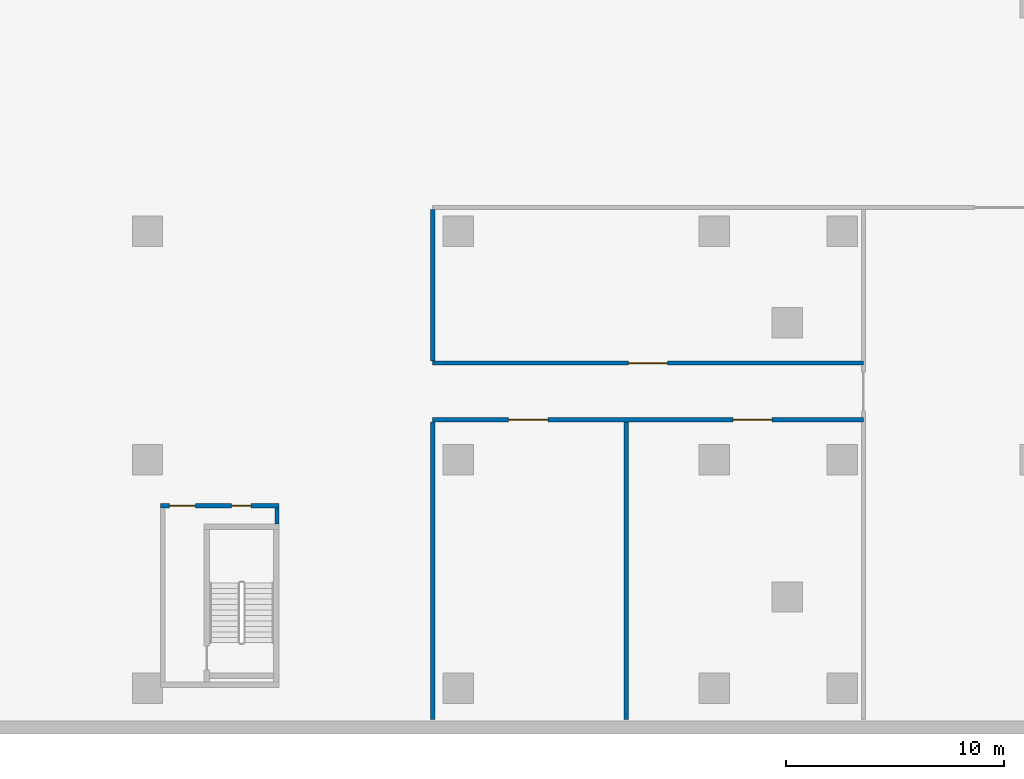
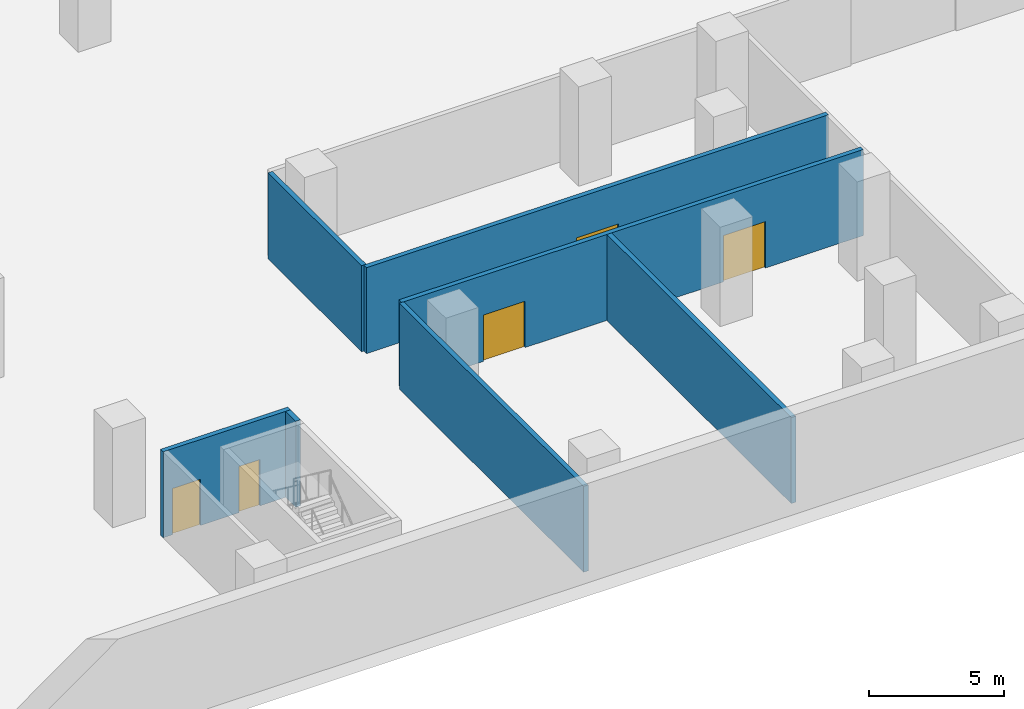
# One storey, part 4 of 12: 7 walls, 5 doors, 5 openings.
"""IFC4 building model written with IfcOpenShell, lengths in metres."""

from ifc_helpers import new_model, si_unit, direction, frame, frame_2d, origin, place, context, subcontext, project, spatial, rectangle, extrude, source, transform, mapped, material, layer, layer_set, type_object, element, fill, save


model = new_model("IFC4")

# Units and contexts
model_context = context("Model", 3, precision=1e-05, world=origin(), true_north=direction((0.0, 1.0)))
body_context = subcontext(model_context, "Body", "Model", "MODEL_VIEW")
ifc_project = project(units=[si_unit("LENGTHUNIT", "METRE"), si_unit("AREAUNIT", "SQUARE_METRE"), si_unit("VOLUMEUNIT", "CUBIC_METRE"), si_unit("PLANEANGLEUNIT", "RADIAN"), si_unit("MASSUNIT", "GRAM", prefix="KILO")], contexts=[model_context])

# Site, building, storey
site_placement = place(None, origin())
site = spatial("IfcSite", under=ifc_project, at=site_placement, CompositionType="ELEMENT")
building_placement = place(site_placement, origin())
building = spatial("IfcBuilding", under=site, at=building_placement, Name="Aurelian Terraces", CompositionType="ELEMENT")
storey_placement = place(building_placement, frame((0.0, 0.0, -4.5)))
storey = spatial("IfcBuildingStorey", under=building, at=storey_placement, Name="B1", CompositionType="ELEMENT", Elevation=-4.5)

# Wall, openings, doors
ifc_material_1 = material(Name="Gypsum board on steel studs", Category="steel")
ifc_layer_1 = layer(ifc_material_1, 0.2)
ifc_layer_set_1 = layer_set([ifc_layer_1], Name="Basement partition 200")
wall_type_1 = type_object("IfcWallType", Name="Basement partition 200", PredefinedType="PARTITIONING", material=ifc_layer_set_1)
wall_1_placement = place(storey_placement, frame((50.9, 12.35, 0.0), z_axis=(0.0, 0.0, 1.0), x_axis=(1.0, 0.0, 0.0)))
wall_1 = element("IfcWall", 1, at=wall_1_placement, inside=storey, type_object=wall_type_1, Name="B1 partition 001", PredefinedType="PARTITIONING", context=body_context, shape_type="SweptSolid", body=[
    extrude(rectangle(XDim=19.8, YDim=0.2, at=frame_2d((9.9, 0.0))), origin(), (0.0, 0.0, 1.0), 3.9),
])
shared_shape_1 = source(origin(), body_context, "Body", "SweptSolid", [
    extrude(rectangle(XDim=1.8, YDim=2.1, at=frame_2d((0.9, 1.05))), frame((0.0, 0.11, 0.0), z_axis=(0.0, -1.0, 0.0), x_axis=(1.0, 0.0, 0.0)), (0.0, 0.0, 1.0), 0.22),
])
opening_1_placement = place(wall_1_placement, frame((3.5, 0.0, 0.0)))
opening_1 = element("IfcOpeningElement", 2, at=opening_1_placement, cuts=wall_1, Name="Opening 50219", PredefinedType="OPENING", context=body_context, shape_type="MappedRepresentation", body=[
    mapped(shared_shape_1, transform((0.0, 0.0, 0.0), scale=1.0)),
])
opening_2_placement = place(wall_1_placement, frame((13.8, 0.0, 0.0)))
opening_2 = element("IfcOpeningElement", 3, at=opening_2_placement, cuts=wall_1, Name="Opening 50220", PredefinedType="OPENING", context=body_context, shape_type="MappedRepresentation", body=[
    mapped(shared_shape_1, transform((0.0, 0.0, 0.0), scale=1.0)),
])
ifc_material_2 = material(Name="Steel door leaf", Category="steel")
door_type_1 = type_object("IfcDoorType", Name="Back of house door double 1800x2100", OperationType="DOUBLE_DOOR_SINGLE_SWING", PredefinedType="DOOR", material=ifc_material_2)
shared_shape_2 = source(origin(), body_context, "Body", "SweptSolid", [
    extrude(rectangle(XDim=1.8, YDim=2.1, at=frame_2d((0.9, 1.05))), frame((0.0, 0.025, 0.0), z_axis=(0.0, -1.0, 0.0), x_axis=(1.0, 0.0, 0.0)), (0.0, 0.0, 1.0), 0.05),
])
door_1_placement = place(opening_1_placement, origin())
door_1 = element("IfcDoor", 4, at=door_1_placement, inside=storey, type_object=door_type_1, Name="Room door 50219", OperationType="DOUBLE_DOOR_SINGLE_SWING", OverallHeight=2.1, OverallWidth=1.8, PredefinedType="DOOR", context=body_context, shape_type="MappedRepresentation", body=[
    mapped(shared_shape_2, transform((0.0, 0.0, 0.0), scale=1.0)),
])
fill(opening_1, door_1)
door_2_placement = place(opening_2_placement, origin())
door_2 = element("IfcDoor", 5, at=door_2_placement, inside=storey, type_object=door_type_1, Name="Room door 50220", OperationType="DOUBLE_DOOR_SINGLE_SWING", OverallHeight=2.1, OverallWidth=1.8, PredefinedType="DOOR", context=body_context, shape_type="MappedRepresentation", body=[
    mapped(shared_shape_2, transform((0.0, 0.0, 0.0), scale=1.0)),
])
fill(opening_2, door_2)

ifc_layer_2 = layer(ifc_material_1, 0.2)
ifc_layer_set_2 = layer_set([ifc_layer_2], Name="Core partition 200")
wall_type_2 = type_object("IfcWallType", Name="Core partition 200", PredefinedType="PARTITIONING", material=ifc_layer_set_2)
shared_shape_3 = source(origin(), body_context, "Body", "SweptSolid", [
    extrude(rectangle(XDim=5.45, YDim=0.2, at=frame_2d((2.725, 0.0))), origin(), (0.0, 0.0, 1.0), 3.9),
])
wall_2_placement = place(storey_placement, frame((38.4, 8.4, 0.0), z_axis=(0.0, 0.0, 1.0), x_axis=(1.0, 0.0, 0.0)))
wall_2 = element("IfcWall", 6, at=wall_2_placement, inside=storey, type_object=wall_type_2, Name="B1 core wall ST-S2-BN", PredefinedType="PARTITIONING", context=body_context, shape_type="MappedRepresentation", body=[
    mapped(shared_shape_3, transform((0.0, 0.0, 0.0), scale=1.0)),
])
shared_shape_4 = source(origin(), body_context, "Body", "SweptSolid", [
    extrude(rectangle(XDim=1.2, YDim=2.1, at=frame_2d((0.6, 1.05))), frame((0.0, 0.11, 0.0), z_axis=(0.0, -1.0, 0.0), x_axis=(1.0, 0.0, 0.0)), (0.0, 0.0, 1.0), 0.22),
])
opening_3_placement = place(wall_2_placement, frame((0.4, 0.0, 0.0)))
opening_3 = element("IfcOpeningElement", 7, at=opening_3_placement, cuts=wall_2, Name="Opening 60215", PredefinedType="OPENING", context=body_context, shape_type="MappedRepresentation", body=[
    mapped(shared_shape_4, transform((0.0, 0.0, 0.0), scale=1.0)),
])
shared_shape_5 = source(origin(), body_context, "Body", "SweptSolid", [
    extrude(rectangle(XDim=0.9, YDim=2.1, at=frame_2d((0.45, 1.05))), frame((0.0, 0.11, 0.0), z_axis=(0.0, -1.0, 0.0), x_axis=(1.0, 0.0, 0.0)), (0.0, 0.0, 1.0), 0.22),
])
opening_4_placement = place(wall_2_placement, frame((3.25, 0.0, 0.0)))
opening_4 = element("IfcOpeningElement", 8, at=opening_4_placement, cuts=wall_2, Name="Opening 60216", PredefinedType="OPENING", context=body_context, shape_type="MappedRepresentation", body=[
    mapped(shared_shape_5, transform((0.0, 0.0, 0.0), scale=1.0)),
])
door_type_2 = type_object("IfcDoorType", Name="Core riser door 900x2100", OperationType="SINGLE_SWING_LEFT", PredefinedType="DOOR", material=ifc_material_2)
shared_shape_6 = source(origin(), body_context, "Body", "SweptSolid", [
    extrude(rectangle(XDim=0.9, YDim=2.1, at=frame_2d((0.45, 1.05))), frame((0.0, 0.025, 0.0), z_axis=(0.0, -1.0, 0.0), x_axis=(1.0, 0.0, 0.0)), (0.0, 0.0, 1.0), 0.05),
])
door_3_placement = place(opening_4_placement, origin())
door_3 = element("IfcDoor", 9, at=door_3_placement, inside=storey, type_object=door_type_2, Name="Riser door 60216", OperationType="SINGLE_SWING_LEFT", OverallHeight=2.1, OverallWidth=0.9, PredefinedType="DOOR", context=body_context, shape_type="MappedRepresentation", body=[
    mapped(shared_shape_6, transform((0.0, 0.0, 0.0), scale=1.0)),
])
fill(opening_4, door_3)
door_type_3 = type_object("IfcDoorType", Name="Core fire door 1200x2100 right", OperationType="SINGLE_SWING_RIGHT", PredefinedType="DOOR", material=ifc_material_2)
shared_shape_7 = source(origin(), body_context, "Body", "SweptSolid", [
    extrude(rectangle(XDim=1.2, YDim=2.1, at=frame_2d((0.6, 1.05))), frame((0.0, 0.025, 0.0), z_axis=(0.0, -1.0, 0.0), x_axis=(1.0, 0.0, 0.0)), (0.0, 0.0, 1.0), 0.05),
])
door_4_placement = place(opening_3_placement, origin())
door_4 = element("IfcDoor", 10, at=door_4_placement, inside=storey, type_object=door_type_3, Name="Vestibule door 60215", OperationType="SINGLE_SWING_RIGHT", OverallHeight=2.1, OverallWidth=1.2, PredefinedType="DOOR", context=body_context, shape_type="MappedRepresentation", body=[
    mapped(shared_shape_7, transform((0.0, 0.0, 0.0), scale=1.0)),
])
fill(opening_3, door_4)

# Walls
shared_shape_8 = source(origin(), body_context, "Body", "SweptSolid", [
    extrude(rectangle(XDim=0.75, YDim=0.2, at=frame_2d((0.375, 0.0))), origin(), (0.0, 0.0, 1.0), 3.9),
])
wall_3_placement = place(storey_placement, frame((43.75, 7.55, 0.0), z_axis=(0.0, 0.0, 1.0), x_axis=(0.0, 1.0, 0.0)))
element("IfcWall", 11, at=wall_3_placement, inside=storey, type_object=wall_type_2, Name="B1 core wall ST-S2-RE", PredefinedType="PARTITIONING", context=body_context, shape_type="MappedRepresentation", body=[
    mapped(shared_shape_8, transform((0.0, 0.0, 0.0), scale=1.0)),
])
shared_shape_9 = source(origin(), body_context, "Body", "SweptSolid", [
    extrude(rectangle(XDim=13.69, YDim=0.2, at=frame_2d((6.845, 0.0))), origin(), (0.0, 0.0, 1.0), 3.9),
])
for number, where, z_axis, x_axis, name in (
    (12, (50.9, -1.44, 0.0), (0.0, 0.0, 1.0), (0.0, 1.0, 0.0), "B1 partition 029"),
    (13, (59.8, -1.44, 0.0), (0.0, 0.0, 1.0), (0.0, 1.0, 0.0), "B1 partition 032"),
):
    element("IfcWall", number, at=place(storey_placement, frame(where, z_axis=z_axis, x_axis=x_axis)), inside=storey, type_object=wall_type_1, Name=name, PredefinedType="PARTITIONING", context=body_context, shape_type="MappedRepresentation", body=[
        mapped(shared_shape_9, transform((0.0, 0.0, 0.0), scale=1.0)),
    ])
shared_shape_10 = source(origin(), body_context, "Body", "SweptSolid", [
    extrude(rectangle(XDim=6.95, YDim=0.2, at=frame_2d((3.475, 0.0))), origin(), (0.0, 0.0, 1.0), 3.9),
])
wall_4_placement = place(storey_placement, frame((50.9, 15.05, 0.0), z_axis=(0.0, 0.0, 1.0), x_axis=(0.0, 1.0, 0.0)))
element("IfcWall", 14, at=wall_4_placement, inside=storey, type_object=wall_type_1, Name="B1 partition 030", PredefinedType="PARTITIONING", context=body_context, shape_type="MappedRepresentation", body=[
    mapped(shared_shape_10, transform((0.0, 0.0, 0.0), scale=1.0)),
])

# Wall, opening, door
shared_shape_11 = source(origin(), body_context, "Body", "SweptSolid", [
    extrude(rectangle(XDim=19.8, YDim=0.2, at=frame_2d((9.9, 0.0))), origin(), (0.0, 0.0, 1.0), 3.9),
])
wall_5_placement = place(storey_placement, frame((50.9, 14.95, 0.0), z_axis=(0.0, 0.0, 1.0), x_axis=(1.0, 0.0, 0.0)))
wall_5 = element("IfcWall", 15, at=wall_5_placement, inside=storey, type_object=wall_type_1, Name="B1 partition 002", PredefinedType="PARTITIONING", context=body_context, shape_type="MappedRepresentation", body=[
    mapped(shared_shape_11, transform((0.0, 0.0, 0.0), scale=1.0)),
])
opening_5_placement = place(wall_5_placement, frame((9.0, 0.0, 0.0)))
opening_5 = element("IfcOpeningElement", 16, at=opening_5_placement, cuts=wall_5, Name="Opening 50221", PredefinedType="OPENING", context=body_context, shape_type="MappedRepresentation", body=[
    mapped(shared_shape_1, transform((0.0, 0.0, 0.0), scale=1.0)),
])
door_5_placement = place(opening_5_placement, origin())
door_5 = element("IfcDoor", 17, at=door_5_placement, inside=storey, type_object=door_type_1, Name="Room door 50221", OperationType="DOUBLE_DOOR_SINGLE_SWING", OverallHeight=2.1, OverallWidth=1.8, PredefinedType="DOOR", context=body_context, shape_type="MappedRepresentation", body=[
    mapped(shared_shape_2, transform((0.0, 0.0, 0.0), scale=1.0)),
])
fill(opening_5, door_5)

save(model, "model.ifc")
